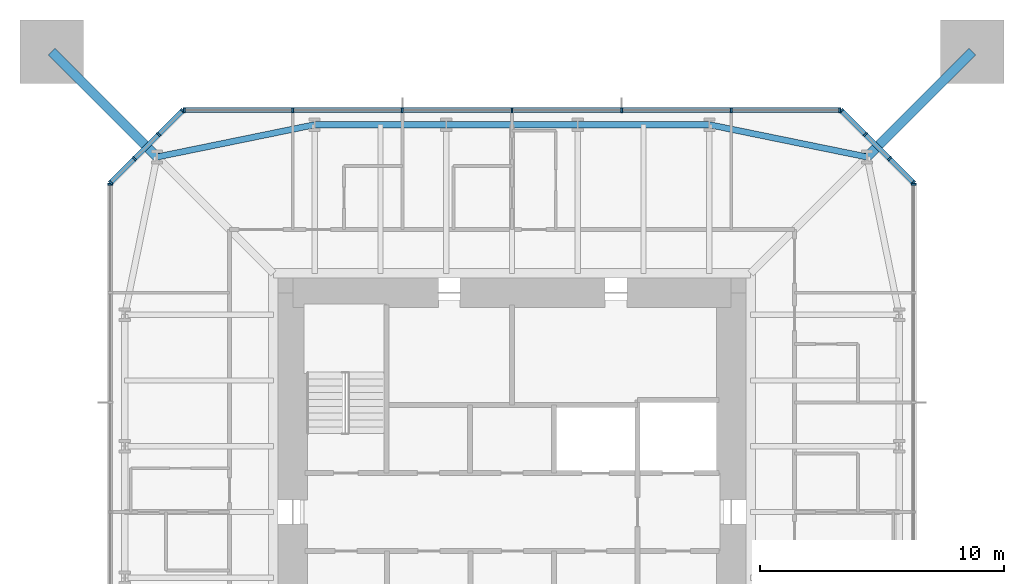
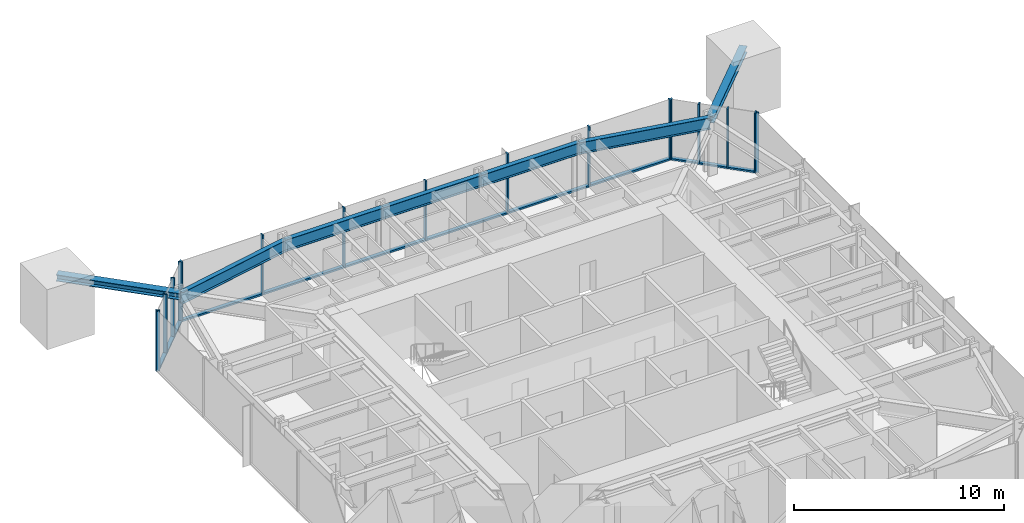
# One storey, part 4 of 9: 31 members, 5 beams, 5 elements without a shape of their own.
"""IFC4 building model written with IfcOpenShell, lengths in metres."""

from ifc_helpers import new_model, si_unit, direction, frame, origin, origin_2d, place, context, subcontext, project, spatial, rectangle, i_section, extrude, material, material_profile, profile_set, type_object, element, aggregate, save


model = new_model("IFC4")

# Units and contexts
model_context = context("Model", 3, precision=1e-05, world=origin(), true_north=direction((0.0, 1.0)))
body_context = subcontext(model_context, "Body", "Model", "MODEL_VIEW")
ifc_project = project(units=[si_unit("LENGTHUNIT", "METRE"), si_unit("AREAUNIT", "SQUARE_METRE"), si_unit("VOLUMEUNIT", "CUBIC_METRE"), si_unit("PLANEANGLEUNIT", "RADIAN"), si_unit("MASSUNIT", "GRAM", prefix="KILO")], contexts=[model_context])

# Site, building, storey
site_placement = place(None, origin())
site = spatial("IfcSite", under=ifc_project, at=site_placement, CompositionType="ELEMENT")
building_placement = place(site_placement, origin())
building = spatial("IfcBuilding", under=site, at=building_placement, Name="Iwan Alto Co-Living Towers", CompositionType="ELEMENT")
storey_placement = place(building_placement, frame((0.0, 0.0, 232.5)))
storey = spatial("IfcBuildingStorey", under=building, at=storey_placement, Name="L63", CompositionType="ELEMENT", Elevation=232.5)

# Curtain wall, member
ifc_material_1 = material(Name="Bronze aluminium unitised frame", Category="aluminium")
curtain_wall_type_1 = type_object("IfcCurtainWallType", Name="CURTAIN WALL CW-A", PredefinedType="NOTDEFINED", material=ifc_material_1)
curtain_wall_1_placement = place(storey_placement, origin())
curtain_wall_1 = element("IfcCurtainWall", 1, at=curtain_wall_1_placement, inside=storey, type_object=curtain_wall_type_1, Name="T1 curtain wall E L63", PredefinedType="NOTDEFINED")
ifc_material_2 = material(Name="Aluminium 6063-T6 bronze anodised", Category="aluminium")
ifc_material_profile_1 = material_profile(ifc_material_2, rectangle(XDim=0.199951171875, YDim=0.080078125, at=origin_2d()), Name="AL 80X200")
ifc_profile_set_1 = profile_set([ifc_material_profile_1], Name="Aluminium 6063-T6 bronze anodised")
member_type_1 = type_object("IfcMemberType", Name="CW-A MULLION 80X200", PredefinedType="MULLION", material=ifc_profile_set_1)
member_1_placement = place(storey_placement, frame((16.5, 13.4599609375, 0.0), z_axis=(0.0, 0.0, 1.0), x_axis=(-1.0, 0.0, 0.0)))
member_1 = element("IfcMember", 2, at=member_1_placement, type_object=member_type_1, Name="CW-A mullion 7", PredefinedType="MULLION", context=body_context, shape_type="SweptSolid", body=[
    extrude(rectangle(XDim=0.199951171875, YDim=0.080078125, at=origin_2d()), origin(), (0.0, 0.0, 1.0), 3.5),
])
aggregate(curtain_wall_1, [member_1])

# Curtain wall, members
curtain_wall_2_placement = place(storey_placement, origin())
curtain_wall_2 = element("IfcCurtainWall", 3, at=curtain_wall_2_placement, inside=storey, type_object=curtain_wall_type_1, Name="T1 curtain wall N L63", PredefinedType="NOTDEFINED")
member_2_placement = place(storey_placement, frame((13.4599609375, 16.5, 0.0), z_axis=(0.0, 0.0, 1.0), x_axis=(0.0, -1.0, 0.0)))
member_2 = element("IfcMember", 4, at=member_2_placement, type_object=member_type_1, Name="CW-A mullion 1", PredefinedType="MULLION", context=body_context, shape_type="SweptSolid", body=[
    extrude(rectangle(XDim=0.199951171875, YDim=0.080078125, at=origin_2d()), origin(), (0.0, 0.0, 1.0), 3.5),
])
member_3_placement = place(storey_placement, frame((9.0, 16.5, 0.0), z_axis=(0.0, 0.0, 1.0), x_axis=(0.0, -1.0, 0.0)))
member_3 = element("IfcMember", 5, at=member_3_placement, type_object=member_type_1, Name="CW-A mullion 2", PredefinedType="MULLION", context=body_context, shape_type="SweptSolid", body=[
    extrude(rectangle(XDim=0.199951171875, YDim=0.080078125, at=origin_2d()), origin(), (0.0, 0.0, 1.0), 3.5),
])
member_4_placement = place(storey_placement, frame((4.5, 16.5, 0.0), z_axis=(0.0, 0.0, 1.0), x_axis=(0.0, -1.0, 0.0)))
member_4 = element("IfcMember", 6, at=member_4_placement, type_object=member_type_1, Name="CW-A mullion 3", PredefinedType="MULLION", context=body_context, shape_type="SweptSolid", body=[
    extrude(rectangle(XDim=0.199951171875, YDim=0.080078125, at=origin_2d()), origin(), (0.0, 0.0, 1.0), 3.5),
])
member_5_placement = place(storey_placement, frame((0.0, 16.5, 0.0), z_axis=(0.0, 0.0, 1.0), x_axis=(0.0, -1.0, 0.0)))
member_5 = element("IfcMember", 7, at=member_5_placement, type_object=member_type_1, Name="CW-A mullion 4", PredefinedType="MULLION", context=body_context, shape_type="SweptSolid", body=[
    extrude(rectangle(XDim=0.199951171875, YDim=0.080078125, at=origin_2d()), origin(), (0.0, 0.0, 1.0), 3.5),
])
member_6_placement = place(storey_placement, frame((-4.5, 16.5, 0.0), z_axis=(0.0, 0.0, 1.0), x_axis=(0.0, -1.0, 0.0)))
member_6 = element("IfcMember", 8, at=member_6_placement, type_object=member_type_1, Name="CW-A mullion 5", PredefinedType="MULLION", context=body_context, shape_type="SweptSolid", body=[
    extrude(rectangle(XDim=0.199951171875, YDim=0.080078125, at=origin_2d()), origin(), (0.0, 0.0, 1.0), 3.5),
])
member_7_placement = place(storey_placement, frame((-9.0, 16.5, 0.0), z_axis=(0.0, 0.0, 1.0), x_axis=(0.0, -1.0, 0.0)))
member_7 = element("IfcMember", 9, at=member_7_placement, type_object=member_type_1, Name="CW-A mullion 6", PredefinedType="MULLION", context=body_context, shape_type="SweptSolid", body=[
    extrude(rectangle(XDim=0.199951171875, YDim=0.080078125, at=origin_2d()), origin(), (0.0, 0.0, 1.0), 3.5),
])
member_8_placement = place(storey_placement, frame((-13.4599609375, 16.5, 0.0), z_axis=(0.0, 0.0, 1.0), x_axis=(0.0, -1.0, 0.0)))
member_8 = element("IfcMember", 10, at=member_8_placement, type_object=member_type_1, Name="CW-A mullion 7", PredefinedType="MULLION", context=body_context, shape_type="SweptSolid", body=[
    extrude(rectangle(XDim=0.199951171875, YDim=0.080078125, at=origin_2d()), origin(), (0.0, 0.0, 1.0), 3.5),
])

# Curtain wall, member
curtain_wall_3_placement = place(storey_placement, origin())
curtain_wall_3 = element("IfcCurtainWall", 11, at=curtain_wall_3_placement, inside=storey, type_object=curtain_wall_type_1, Name="T1 curtain wall W L63", PredefinedType="NOTDEFINED")
member_9_placement = place(storey_placement, frame((-16.5, 13.4599609375, 0.0), z_axis=(0.0, 0.0, 1.0), x_axis=(1.0, 0.0, 0.0)))
member_9 = element("IfcMember", 12, at=member_9_placement, type_object=member_type_1, Name="CW-A mullion 1", PredefinedType="MULLION", context=body_context, shape_type="SweptSolid", body=[
    extrude(rectangle(XDim=0.199951171875, YDim=0.080078125, at=origin_2d()), origin(), (0.0, 0.0, 1.0), 3.5),
])
aggregate(curtain_wall_3, [member_9])

# Member
ifc_material_3 = material(Name="Aluminium 6063-T6 bronze anodised", Category="aluminium")
ifc_material_profile_2 = material_profile(ifc_material_3, rectangle(XDim=0.199951171875, YDim=0.10009765625, at=origin_2d()), Name="AL 200X100")
ifc_profile_set_2 = profile_set([ifc_material_profile_2], Name="Aluminium 6063-T6 bronze anodised")
member_type_2 = type_object("IfcMemberType", Name="CW-A TRANSOM 200X100", PredefinedType="USERDEFINED", material=ifc_profile_set_2)
member_10_placement = place(storey_placement, frame((13.419921875, 16.5, 0.050048828125), z_axis=(-1.0, 0.0, 0.0), x_axis=(0.0, -1.0, 0.0)))
member_10 = element("IfcMember", 13, at=member_10_placement, type_object=member_type_2, Name="CW-A transom 1.1", ObjectType="TRANSOM", PredefinedType="USERDEFINED", context=body_context, shape_type="SweptSolid", body=[
    extrude(rectangle(XDim=0.199951171875, YDim=0.10009765625, at=origin_2d()), origin(), (0.0, 0.0, 1.0), 4.3798828125),
])

member_11_placement = place(storey_placement, frame((8.9599609375, 16.5, 0.050048828125), z_axis=(-1.0, 0.0, 0.0), x_axis=(0.0, -1.0, 0.0)))
member_11 = element("IfcMember", 14, at=member_11_placement, type_object=member_type_2, Name="CW-A transom 2.1", ObjectType="TRANSOM", PredefinedType="USERDEFINED", context=body_context, shape_type="SweptSolid", body=[
    extrude(rectangle(XDim=0.199951171875, YDim=0.10009765625, at=origin_2d()), origin(), (0.0, 0.0, 1.0), 4.419921875),
])

member_12_placement = place(storey_placement, frame((4.4599609375, 16.5, 0.050048828125), z_axis=(-1.0, 0.0, 0.0), x_axis=(0.0, -1.0, 0.0)))
member_12 = element("IfcMember", 15, at=member_12_placement, type_object=member_type_2, Name="CW-A transom 3.1", ObjectType="TRANSOM", PredefinedType="USERDEFINED", context=body_context, shape_type="SweptSolid", body=[
    extrude(rectangle(XDim=0.199951171875, YDim=0.10009765625, at=origin_2d()), origin(), (0.0, 0.0, 1.0), 4.419921875),
])

member_13_placement = place(storey_placement, frame((-0.0400390625, 16.5, 0.050048828125), z_axis=(-1.0, 0.0, 0.0), x_axis=(0.0, -1.0, 0.0)))
member_13 = element("IfcMember", 16, at=member_13_placement, type_object=member_type_2, Name="CW-A transom 4.1", ObjectType="TRANSOM", PredefinedType="USERDEFINED", context=body_context, shape_type="SweptSolid", body=[
    extrude(rectangle(XDim=0.199951171875, YDim=0.10009765625, at=origin_2d()), origin(), (0.0, 0.0, 1.0), 4.419921875),
])

member_14_placement = place(storey_placement, frame((-4.5400390625, 16.5, 0.050048828125), z_axis=(-1.0, 0.0, 0.0), x_axis=(0.0, -1.0, 0.0)))
member_14 = element("IfcMember", 17, at=member_14_placement, type_object=member_type_2, Name="CW-A transom 5.1", ObjectType="TRANSOM", PredefinedType="USERDEFINED", context=body_context, shape_type="SweptSolid", body=[
    extrude(rectangle(XDim=0.199951171875, YDim=0.10009765625, at=origin_2d()), origin(), (0.0, 0.0, 1.0), 4.419921875),
])

member_15_placement = place(storey_placement, frame((-9.0400390625, 16.5, 0.050048828125), z_axis=(-1.0, 0.0, 0.0), x_axis=(0.0, -1.0, 0.0)))
member_15 = element("IfcMember", 18, at=member_15_placement, type_object=member_type_2, Name="CW-A transom 6.1", ObjectType="TRANSOM", PredefinedType="USERDEFINED", context=body_context, shape_type="SweptSolid", body=[
    extrude(rectangle(XDim=0.199951171875, YDim=0.10009765625, at=origin_2d()), origin(), (0.0, 0.0, 1.0), 4.3798828125),
])

aggregate(curtain_wall_2, [member_2, member_3, member_4, member_5, member_6, member_7, member_8, member_10, member_11, member_12, member_13, member_14, member_15])

# Curtain wall, members
ifc_material_4 = material(Name="Bronze aluminium unitised frame", Category="aluminium")
curtain_wall_type_2 = type_object("IfcCurtainWallType", Name="CURTAIN WALL CW-B", PredefinedType="NOTDEFINED", material=ifc_material_4)
curtain_wall_4_placement = place(storey_placement, origin())
curtain_wall_4 = element("IfcCurtainWall", 19, at=curtain_wall_4_placement, inside=storey, type_object=curtain_wall_type_2, Name="T1 chamfer curtain wall NE L63", PredefinedType="NOTDEFINED")
ifc_material_5 = material(Name="Aluminium 6063-T6 bronze anodised", Category="aluminium")
ifc_material_profile_3 = material_profile(ifc_material_5, rectangle(XDim=0.199951171875, YDim=0.080078125, at=origin_2d()), Name="AL 80X200")
ifc_profile_set_3 = profile_set([ifc_material_profile_3], Name="Aluminium 6063-T6 bronze anodised")
member_type_3 = type_object("IfcMemberType", Name="CW-B MULLION 80X200", PredefinedType="MULLION", material=ifc_profile_set_3)
member_16_placement = place(storey_placement, frame((16.4716796875, 13.5283203125, 0.0), z_axis=(0.0, 0.0, 1.0), x_axis=(-0.707106781187, -0.707106781187, 0.0)))
member_16 = element("IfcMember", 20, at=member_16_placement, type_object=member_type_3, Name="CW-B mullion 1", PredefinedType="MULLION", context=body_context, shape_type="SweptSolid", body=[
    extrude(rectangle(XDim=0.199951171875, YDim=0.080078125, at=origin_2d()), origin(), (0.0, 0.0, 1.0), 3.5),
])
member_17_placement = place(storey_placement, frame((15.5, 14.5, 0.0), z_axis=(0.0, 0.0, 1.0), x_axis=(-0.707106781187, -0.707106781187, 0.0)))
member_17 = element("IfcMember", 21, at=member_17_placement, type_object=member_type_3, Name="CW-B mullion 2", PredefinedType="MULLION", context=body_context, shape_type="SweptSolid", body=[
    extrude(rectangle(XDim=0.199951171875, YDim=0.080078125, at=origin_2d()), origin(), (0.0, 0.0, 1.0), 3.5),
])
member_18_placement = place(storey_placement, frame((14.5, 15.5, 0.0), z_axis=(0.0, 0.0, 1.0), x_axis=(-0.707106781187, -0.707106781187, 0.0)))
member_18 = element("IfcMember", 22, at=member_18_placement, type_object=member_type_3, Name="CW-B mullion 3", PredefinedType="MULLION", context=body_context, shape_type="SweptSolid", body=[
    extrude(rectangle(XDim=0.199951171875, YDim=0.080078125, at=origin_2d()), origin(), (0.0, 0.0, 1.0), 3.5),
])
member_19_placement = place(storey_placement, frame((13.5283203125, 16.4716796875, 0.0), z_axis=(0.0, 0.0, 1.0), x_axis=(-0.707106781187, -0.707106781187, 0.0)))
member_19 = element("IfcMember", 23, at=member_19_placement, type_object=member_type_3, Name="CW-B mullion 4", PredefinedType="MULLION", context=body_context, shape_type="SweptSolid", body=[
    extrude(rectangle(XDim=0.199951171875, YDim=0.080078125, at=origin_2d()), origin(), (0.0, 0.0, 1.0), 3.5),
])

curtain_wall_5_placement = place(storey_placement, origin())
curtain_wall_5 = element("IfcCurtainWall", 24, at=curtain_wall_5_placement, inside=storey, type_object=curtain_wall_type_2, Name="T1 chamfer curtain wall NW L63", PredefinedType="NOTDEFINED")
member_20_placement = place(storey_placement, frame((-13.5283203125, 16.4716796875, 0.0), z_axis=(0.0, 0.0, 1.0), x_axis=(0.707106781187, -0.707106781187, 0.0)))
member_20 = element("IfcMember", 25, at=member_20_placement, type_object=member_type_3, Name="CW-B mullion 1", PredefinedType="MULLION", context=body_context, shape_type="SweptSolid", body=[
    extrude(rectangle(XDim=0.199951171875, YDim=0.080078125, at=origin_2d()), origin(), (0.0, 0.0, 1.0), 3.5),
])
member_21_placement = place(storey_placement, frame((-14.5, 15.5, 0.0), z_axis=(0.0, 0.0, 1.0), x_axis=(0.707106781187, -0.707106781187, 0.0)))
member_21 = element("IfcMember", 26, at=member_21_placement, type_object=member_type_3, Name="CW-B mullion 2", PredefinedType="MULLION", context=body_context, shape_type="SweptSolid", body=[
    extrude(rectangle(XDim=0.199951171875, YDim=0.080078125, at=origin_2d()), origin(), (0.0, 0.0, 1.0), 3.5),
])
member_22_placement = place(storey_placement, frame((-15.5, 14.5, 0.0), z_axis=(0.0, 0.0, 1.0), x_axis=(0.707106781187, -0.707106781187, 0.0)))
member_22 = element("IfcMember", 27, at=member_22_placement, type_object=member_type_3, Name="CW-B mullion 3", PredefinedType="MULLION", context=body_context, shape_type="SweptSolid", body=[
    extrude(rectangle(XDim=0.199951171875, YDim=0.080078125, at=origin_2d()), origin(), (0.0, 0.0, 1.0), 3.5),
])
member_23_placement = place(storey_placement, frame((-16.4716796875, 13.5283203125, 0.0), z_axis=(0.0, 0.0, 1.0), x_axis=(0.707106781187, -0.707106781187, 0.0)))
member_23 = element("IfcMember", 28, at=member_23_placement, type_object=member_type_3, Name="CW-B mullion 4", PredefinedType="MULLION", context=body_context, shape_type="SweptSolid", body=[
    extrude(rectangle(XDim=0.199951171875, YDim=0.080078125, at=origin_2d()), origin(), (0.0, 0.0, 1.0), 3.5),
])

# Member
ifc_material_6 = material(Name="Aluminium 6063-T6 bronze anodised", Category="aluminium")
ifc_material_profile_4 = material_profile(ifc_material_6, rectangle(XDim=0.199951171875, YDim=0.10009765625, at=origin_2d()), Name="AL 200X100")
ifc_profile_set_4 = profile_set([ifc_material_profile_4], Name="Aluminium 6063-T6 bronze anodised")
member_type_4 = type_object("IfcMemberType", Name="CW-B TRANSOM 200X100", PredefinedType="USERDEFINED", material=ifc_profile_set_4)
member_24_placement = place(storey_placement, frame((16.443359375, 13.556640625, 0.050048828125), z_axis=(-0.707106781187, 0.707106781187, 0.0), x_axis=(-0.707106781187, -0.707106781187, 0.0)))
member_24 = element("IfcMember", 29, at=member_24_placement, type_object=member_type_4, Name="CW-B transom 1.1", ObjectType="TRANSOM", PredefinedType="USERDEFINED", context=body_context, shape_type="SweptSolid", body=[
    extrude(rectangle(XDim=0.199951171875, YDim=0.10009765625, at=origin_2d()), origin(), (0.0, 0.0, 1.0), 1.2939453125),
])

member_25_placement = place(storey_placement, frame((15.4716796875, 14.5283203125, 0.050048828125), z_axis=(-0.707106781187, 0.707106781187, 0.0), x_axis=(-0.707106781187, -0.707106781187, 0.0)))
member_25 = element("IfcMember", 30, at=member_25_placement, type_object=member_type_4, Name="CW-B transom 2.1", ObjectType="TRANSOM", PredefinedType="USERDEFINED", context=body_context, shape_type="SweptSolid", body=[
    extrude(rectangle(XDim=0.199951171875, YDim=0.10009765625, at=origin_2d()), origin(), (0.0, 0.0, 1.0), 1.334228515625),
])

member_26_placement = place(storey_placement, frame((14.4716796875, 15.5283203125, 0.050048828125), z_axis=(-0.707106781187, 0.707106781187, 0.0), x_axis=(-0.707106781187, -0.707106781187, 0.0)))
member_26 = element("IfcMember", 31, at=member_26_placement, type_object=member_type_4, Name="CW-B transom 3.1", ObjectType="TRANSOM", PredefinedType="USERDEFINED", context=body_context, shape_type="SweptSolid", body=[
    extrude(rectangle(XDim=0.199951171875, YDim=0.10009765625, at=origin_2d()), origin(), (0.0, 0.0, 1.0), 1.2939453125),
])

aggregate(curtain_wall_4, [member_16, member_17, member_18, member_19, member_24, member_25, member_26])

member_27_placement = place(storey_placement, frame((-13.556640625, 16.443359375, 0.050048828125), z_axis=(-0.707106781187, -0.707106781187, 0.0), x_axis=(0.707106781187, -0.707106781187, 0.0)))
member_27 = element("IfcMember", 32, at=member_27_placement, type_object=member_type_4, Name="CW-B transom 1.1", ObjectType="TRANSOM", PredefinedType="USERDEFINED", context=body_context, shape_type="SweptSolid", body=[
    extrude(rectangle(XDim=0.199951171875, YDim=0.10009765625, at=origin_2d()), origin(), (0.0, 0.0, 1.0), 1.2939453125),
])

member_28_placement = place(storey_placement, frame((-14.5283203125, 15.4716796875, 0.050048828125), z_axis=(-0.707106781187, -0.707106781187, 0.0), x_axis=(0.707106781187, -0.707106781187, 0.0)))
member_28 = element("IfcMember", 33, at=member_28_placement, type_object=member_type_4, Name="CW-B transom 2.1", ObjectType="TRANSOM", PredefinedType="USERDEFINED", context=body_context, shape_type="SweptSolid", body=[
    extrude(rectangle(XDim=0.199951171875, YDim=0.10009765625, at=origin_2d()), origin(), (0.0, 0.0, 1.0), 1.334228515625),
])

member_29_placement = place(storey_placement, frame((-15.5283203125, 14.4716796875, 0.050048828125), z_axis=(-0.707106781187, -0.707106781187, 0.0), x_axis=(0.707106781187, -0.707106781187, 0.0)))
member_29 = element("IfcMember", 34, at=member_29_placement, type_object=member_type_4, Name="CW-B transom 3.1", ObjectType="TRANSOM", PredefinedType="USERDEFINED", context=body_context, shape_type="SweptSolid", body=[
    extrude(rectangle(XDim=0.199951171875, YDim=0.10009765625, at=origin_2d()), origin(), (0.0, 0.0, 1.0), 1.2939453125),
])

aggregate(curtain_wall_5, [member_20, member_21, member_22, member_23, member_27, member_28, member_29])

# Beams
ifc_material_7 = material(Name="Steel ASTM A992 Gr 50", Category="steel")
ifc_material_profile_5 = material_profile(ifc_material_7, i_section(OverallWidth=0.25390625, OverallDepth=0.683349609375, WebThickness=0.012451171875, FlangeThickness=0.018798828125, at=origin_2d()), Name="W27X94")
ifc_profile_set_5 = profile_set([ifc_material_profile_5], Name="Steel ASTM A992 Gr 50")
beam_type = type_object("IfcBeamType", Name="T1 EDGE BEAM W27X94", PredefinedType="BEAM", material=ifc_profile_set_5)
beam_1_placement = place(storey_placement, frame((14.57568359375, 14.57568359375, 2.928466796875), z_axis=(-0.979724820103, 0.200347889618, 0.0), x_axis=(-0.200347889618, -0.979724820103, 0.0)))
element("IfcBeam", 35, at=beam_1_placement, inside=storey, type_object=beam_type, Name="T1 edge beam CNE L64", PredefinedType="BEAM", context=body_context, shape_type="SweptSolid", body=[
    extrude(i_section(OverallWidth=0.25390625, OverallDepth=0.683349609375, WebThickness=0.012451171875, FlangeThickness=0.018798828125, at=origin_2d()), origin(), (0.0, 0.0, 1.0), 6.609619140625),
])
beam_2_placement = place(storey_placement, frame((8.10009765625, 15.89990234375, 2.928466796875), z_axis=(-1.0, 0.0, 0.0), x_axis=(0.0, -1.0, 0.0)))
element("IfcBeam", 36, at=beam_2_placement, inside=storey, type_object=beam_type, Name="T1 edge beam N1 L64", PredefinedType="BEAM", context=body_context, shape_type="SweptSolid", body=[
    extrude(i_section(OverallWidth=0.25390625, OverallDepth=0.683349609375, WebThickness=0.012451171875, FlangeThickness=0.018798828125, at=origin_2d()), origin(), (0.0, 0.0, 1.0), 5.400146484375),
])
beam_3_placement = place(storey_placement, frame((2.699951171875, 15.89990234375, 2.928466796875), z_axis=(-1.0, 0.0, 0.0), x_axis=(0.0, -1.0, 0.0)))
element("IfcBeam", 37, at=beam_3_placement, inside=storey, type_object=beam_type, Name="T1 edge beam N2 L64", PredefinedType="BEAM", context=body_context, shape_type="SweptSolid", body=[
    extrude(i_section(OverallWidth=0.25390625, OverallDepth=0.683349609375, WebThickness=0.012451171875, FlangeThickness=0.018798828125, at=origin_2d()), origin(), (0.0, 0.0, 1.0), 5.39990234375),
])
beam_4_placement = place(storey_placement, frame((-2.699951171875, 15.89990234375, 2.928466796875), z_axis=(-1.0, 0.0, 0.0), x_axis=(0.0, -1.0, 0.0)))
element("IfcBeam", 38, at=beam_4_placement, inside=storey, type_object=beam_type, Name="T1 edge beam N3 L64", PredefinedType="BEAM", context=body_context, shape_type="SweptSolid", body=[
    extrude(i_section(OverallWidth=0.25390625, OverallDepth=0.683349609375, WebThickness=0.012451171875, FlangeThickness=0.018798828125, at=origin_2d()), origin(), (0.0, 0.0, 1.0), 5.400146484375),
])
beam_5_placement = place(storey_placement, frame((-8.10009765625, 15.89990234375, 2.928466796875), z_axis=(-0.979724820103, -0.200347889618, 0.0), x_axis=(0.200347889618, -0.979724820103, 0.0)))
element("IfcBeam", 39, at=beam_5_placement, inside=storey, type_object=beam_type, Name="T1 edge beam N4 L64", PredefinedType="BEAM", context=body_context, shape_type="SweptSolid", body=[
    extrude(i_section(OverallWidth=0.25390625, OverallDepth=0.683349609375, WebThickness=0.012451171875, FlangeThickness=0.018798828125, at=origin_2d()), origin(), (0.0, 0.0, 1.0), 6.609619140625),
])

# Members
ifc_material_8 = material(Name="Steel ASTM A992 Gr 50", Category="steel")
ifc_material_profile_6 = material_profile(ifc_material_8, i_section(OverallWidth=0.393798828125, OverallDepth=0.3759765625, WebThickness=0.017333984375, FlangeThickness=0.027587890625, at=origin_2d()), Name="W14X145")
ifc_profile_set_6 = profile_set([ifc_material_profile_6], Name="Steel ASTM A992 Gr 50")
member_type_5 = type_object("IfcMemberType", Name="T1 MEGA COLUMN FLOOR TIE W14X145", PredefinedType="STRUT", material=ifc_profile_set_6)
for number, where, z_axis, x_axis, name in (
    (40, (18.89990234375, 18.89990234375, 3.08203125), (-0.707106781187, -0.707106781187, 0.0), (0.707106781187, -0.707106781187, 0.0), "T1 mega column floor tie NE L64"),
    (41, (-18.89990234375, 18.89990234375, 3.08203125), (0.707106781187, -0.707106781187, 0.0), (0.707106781187, 0.707106781187, 0.0), "T1 mega column floor tie NW L64"),
):
    element("IfcMember", number, at=place(storey_placement, frame(where, z_axis=z_axis, x_axis=x_axis)), inside=storey, type_object=member_type_5, Name=name, PredefinedType="STRUT", context=body_context, shape_type="SweptSolid", body=[
        extrude(i_section(OverallWidth=0.393798828125, OverallDepth=0.3759765625, WebThickness=0.017333984375, FlangeThickness=0.027587890625, at=origin_2d()), origin(), (0.0, 0.0, 1.0), 6.115478515625),
    ])

save(model, "model.ifc")
